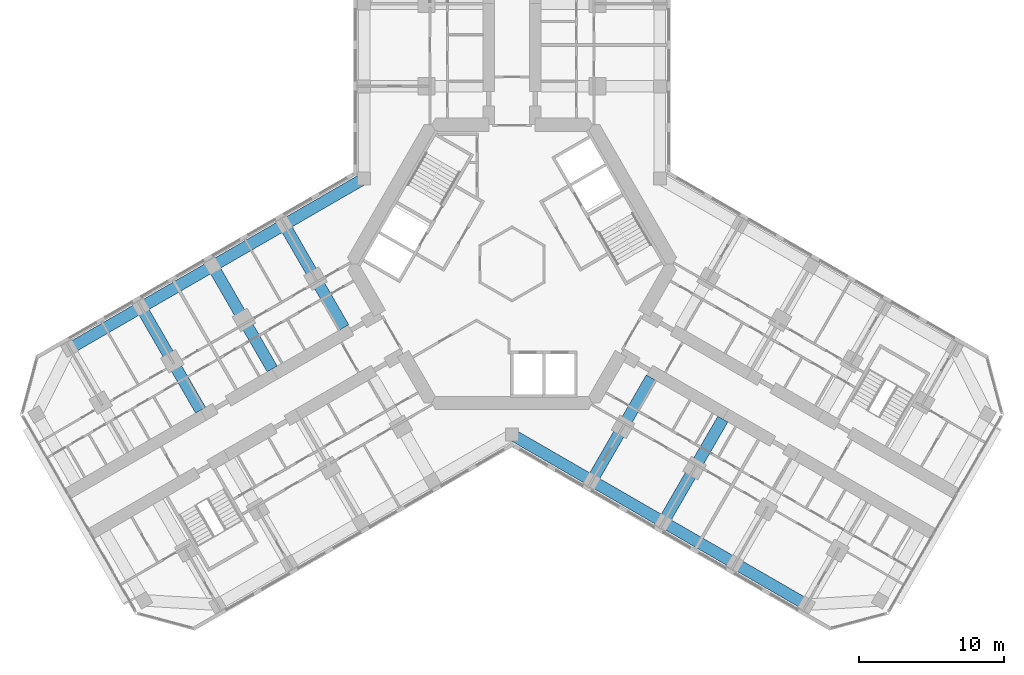
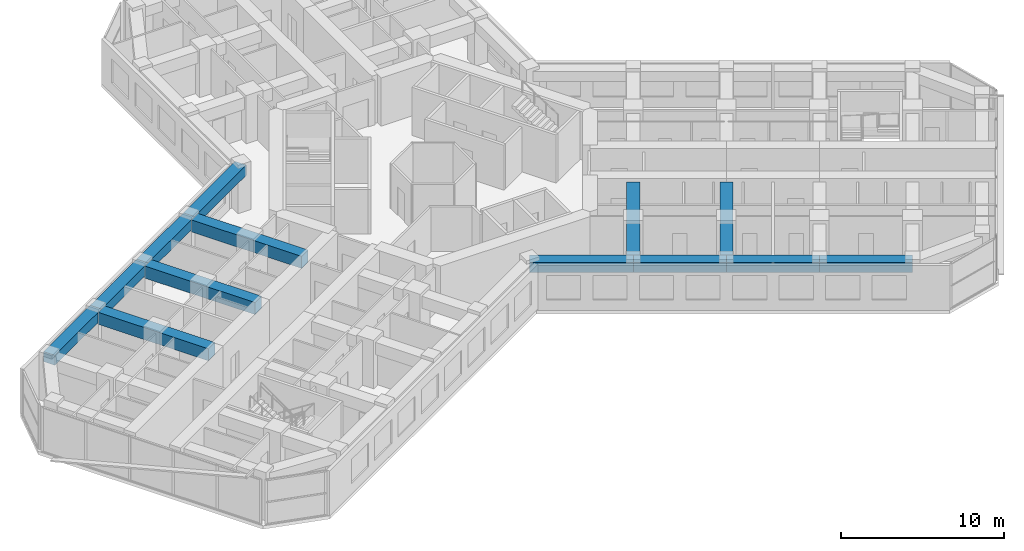
# One storey, part 4 of 20: 13 beams.
"""IFC4 building model written with IfcOpenShell, lengths in metres."""

from ifc_helpers import new_model, si_unit, direction, frame, origin, origin_2d, place, context, subcontext, project, spatial, rectangle, extrude, material, material_profile, profile_set, type_object, element, save


model = new_model("IFC4")

# Units and contexts
model_context = context("Model", 3, precision=1e-05, world=origin(), true_north=direction((0.0, 1.0)))
body_context = subcontext(model_context, "Body", "Model", "MODEL_VIEW")
ifc_project = project(units=[si_unit("LENGTHUNIT", "METRE"), si_unit("AREAUNIT", "SQUARE_METRE"), si_unit("VOLUMEUNIT", "CUBIC_METRE"), si_unit("PLANEANGLEUNIT", "RADIAN"), si_unit("MASSUNIT", "GRAM", prefix="KILO")], contexts=[model_context])

# Site, building, storey
site_placement = place(None, origin())
site = spatial("IfcSite", under=ifc_project, at=site_placement, CompositionType="ELEMENT")
building_placement = place(site_placement, origin())
building = spatial("IfcBuilding", under=site, at=building_placement, Name="Kosmar Iwan School Tower", CompositionType="ELEMENT")
storey_placement = place(building_placement, frame((0.0, 0.0, 131.0)))
storey = spatial("IfcBuildingStorey", under=building, at=storey_placement, Name="L32", CompositionType="ELEMENT", Elevation=131.0)

# Beams
ifc_material_1 = material(Name="Concrete C50/60", Category="concrete")
ifc_material_profile_1 = material_profile(ifc_material_1, rectangle(XDim=0.800048828125, YDim=0.75, at=origin_2d()), Name="RC 800x750")
ifc_profile_set_1 = profile_set([ifc_material_profile_1], Name="Concrete C50/60")
beam_type_1 = type_object("IfcBeamType", Name="RC edge beam 800x750", PredefinedType="BEAM", material=ifc_profile_set_1)
beam_1_placement = place(storey_placement, frame((-10.199951171875, 5.888916015625, 2.97509765625), z_axis=(-0.866030912664, -0.49999045822, 0.0), x_axis=(0.49999045822, -0.866030912664, 0.0)))
element("IfcBeam", 1, at=beam_1_placement, inside=storey, type_object=beam_type_1, Name="Edge beam BR1", PredefinedType="BEAM", context=body_context, shape_type="SweptSolid", body=[
    extrude(rectangle(XDim=0.800048828125, YDim=0.75, at=origin_2d()), origin(), (0.0, 0.0, 1.0), 6.36083984375),
])
beam_2_placement = place(storey_placement, frame((-15.708740234375, 2.70849609375, 2.97509765625), z_axis=(-0.866025820012, -0.499999279071, 0.0), x_axis=(0.499999279071, -0.866025820012, 0.0)))
element("IfcBeam", 2, at=beam_2_placement, inside=storey, type_object=beam_type_1, Name="Edge beam BR2", PredefinedType="BEAM", context=body_context, shape_type="SweptSolid", body=[
    extrude(rectangle(XDim=0.800048828125, YDim=0.75, at=origin_2d()), origin(), (0.0, 0.0, 1.0), 5.7001953125),
])
for number, where, z_axis, x_axis, name in (
    (3, (-20.645263671875, -0.1416015625, 2.97509765625), (-0.866033658841, -0.49998570155, 0.0), (0.49998570155, -0.866033658841, 0.0), "Edge beam BR3"),
    (4, (-25.58154296875, -2.991455078125, 2.97509765625), (-0.866015111908, -0.50001782563, 0.0), (0.50001782563, -0.866015111908, 0.0), "Edge beam BR4"),
):
    element("IfcBeam", number, at=place(storey_placement, frame(where, z_axis=z_axis, x_axis=x_axis)), inside=storey, type_object=beam_type_1, Name=name, PredefinedType="BEAM", context=body_context, shape_type="SweptSolid", body=[
        extrude(rectangle(XDim=0.800048828125, YDim=0.75, at=origin_2d()), origin(), (0.0, 0.0, 1.0), 5.699951171875),
    ])
beam_3_placement = place(storey_placement, frame((0.0, -11.77783203125, 2.97509765625), z_axis=(0.866014293216, -0.500019243575, 0.0), x_axis=(0.500019243575, 0.866014293216, 0.0)))
element("IfcBeam", 5, at=beam_3_placement, inside=storey, type_object=beam_type_1, Name="Edge beam CR1", PredefinedType="BEAM", context=body_context, shape_type="SweptSolid", body=[
    extrude(rectangle(XDim=0.800048828125, YDim=0.75, at=origin_2d()), origin(), (0.0, 0.0, 1.0), 6.361083984375),
])
beam_4_placement = place(storey_placement, frame((5.5087890625, -14.95849609375, 2.97509765625), z_axis=(0.866033658841, -0.49998570155, 0.0), x_axis=(0.49998570155, 0.866033658841, 0.0)))
element("IfcBeam", 6, at=beam_4_placement, inside=storey, type_object=beam_type_1, Name="Edge beam CR2", PredefinedType="BEAM", context=body_context, shape_type="SweptSolid", body=[
    extrude(rectangle(XDim=0.800048828125, YDim=0.75, at=origin_2d()), origin(), (0.0, 0.0, 1.0), 5.699951171875),
])
beam_5_placement = place(storey_placement, frame((10.445068359375, -17.808349609375, 2.97509765625), z_axis=(0.866025820012, -0.499999279071, 0.0), x_axis=(0.499999279071, 0.866025820012, 0.0)))
element("IfcBeam", 7, at=beam_5_placement, inside=storey, type_object=beam_type_1, Name="Edge beam CR3", PredefinedType="BEAM", context=body_context, shape_type="SweptSolid", body=[
    extrude(rectangle(XDim=0.800048828125, YDim=0.75, at=origin_2d()), origin(), (0.0, 0.0, 1.0), 5.7001953125),
])
beam_6_placement = place(storey_placement, frame((15.381591796875, -20.658447265625, 2.97509765625), z_axis=(0.866015111908, -0.50001782563, 0.0), x_axis=(0.50001782563, 0.866015111908, 0.0)))
element("IfcBeam", 8, at=beam_6_placement, inside=storey, type_object=beam_type_1, Name="Edge beam CR4", PredefinedType="BEAM", context=body_context, shape_type="SweptSolid", body=[
    extrude(rectangle(XDim=0.800048828125, YDim=0.75, at=origin_2d()), origin(), (0.0, 0.0, 1.0), 5.699951171875),
])
ifc_material_2 = material(Name="Concrete C50/60", Category="concrete")
ifc_material_profile_2 = material_profile(ifc_material_2, rectangle(XDim=0.800048828125, YDim=0.89990234375, at=origin_2d()), Name="RC 800x900")
ifc_profile_set_2 = profile_set([ifc_material_profile_2], Name="Concrete C50/60")
beam_type_2 = type_object("IfcBeamType", Name="RC transverse beam 800x900", PredefinedType="BEAM", material=ifc_profile_set_2)
for number, where, z_axis, x_axis, name in (
    (9, (-15.708740234375, 2.70849609375, 2.89990234375), (0.499978459874, -0.866037839625, 0.0), (0.866037839625, 0.499978459874, 0.0), "Transverse beam BR1"),
    (10, (-20.645263671875, -0.1416015625, 2.89990234375), (0.500013681986, -0.866017504342, 0.0), (0.866017504342, 0.500013681986, 0.0), "Transverse beam BR2"),
):
    element("IfcBeam", number, at=place(storey_placement, frame(where, z_axis=z_axis, x_axis=x_axis)), inside=storey, type_object=beam_type_2, Name=name, PredefinedType="BEAM", context=body_context, shape_type="SweptSolid", body=[
        extrude(rectangle(XDim=0.800048828125, YDim=0.89990234375, at=origin_2d()), origin(), (0.0, 0.0, 1.0), 8.199951171875),
    ])
for number, where, z_axis, x_axis, name in (
    (11, (-25.58154296875, -2.991455078125, 2.89990234375), (0.500000789788, -0.8660249478, 0.0), (0.8660249478, 0.500000789788, 0.0), "Transverse beam BR3"),
    (12, (5.5087890625, -14.95849609375, 2.89990234375), (0.500000789788, 0.8660249478, 0.0), (-0.8660249478, 0.500000789788, 0.0), "Transverse beam CR1"),
):
    element("IfcBeam", number, at=place(storey_placement, frame(where, z_axis=z_axis, x_axis=x_axis)), inside=storey, type_object=beam_type_2, Name=name, PredefinedType="BEAM", context=body_context, shape_type="SweptSolid", body=[
        extrude(rectangle(XDim=0.800048828125, YDim=0.89990234375, at=origin_2d()), origin(), (0.0, 0.0, 1.0), 8.2001953125),
    ])
beam_7_placement = place(storey_placement, frame((10.445068359375, -17.808349609375, 2.89990234375), z_axis=(0.500013681986, 0.866017504342, 0.0), x_axis=(-0.866017504342, 0.500013681986, 0.0)))
element("IfcBeam", 13, at=beam_7_placement, inside=storey, type_object=beam_type_2, Name="Transverse beam CR2", PredefinedType="BEAM", context=body_context, shape_type="SweptSolid", body=[
    extrude(rectangle(XDim=0.800048828125, YDim=0.89990234375, at=origin_2d()), origin(), (0.0, 0.0, 1.0), 8.199951171875),
])

save(model, "model.ifc")
